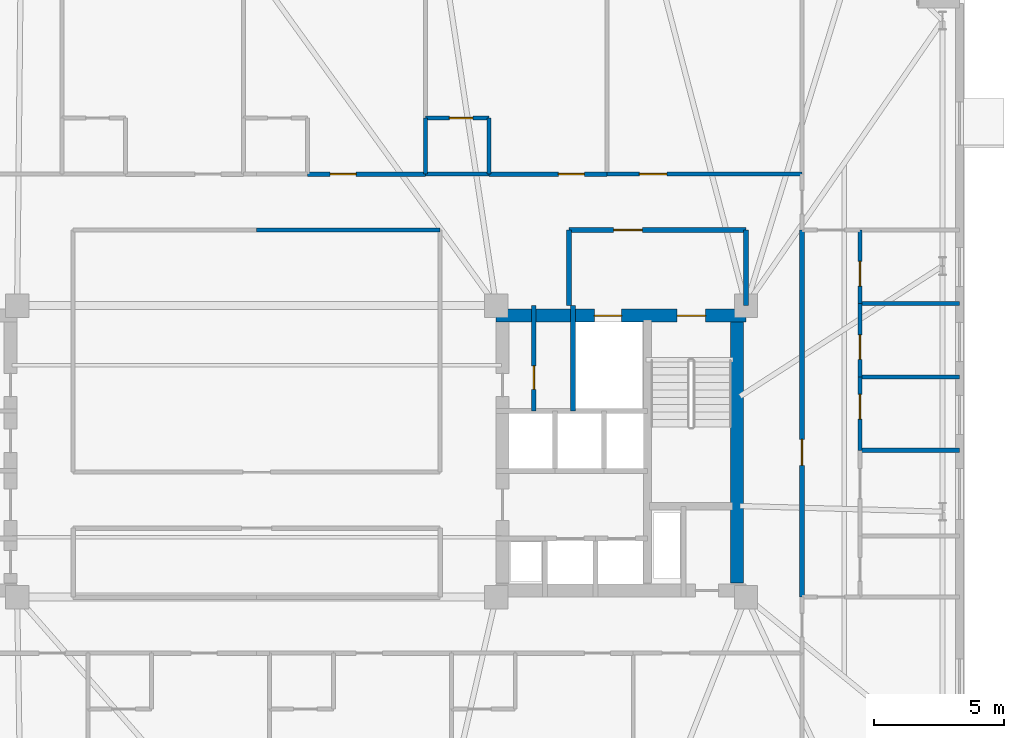
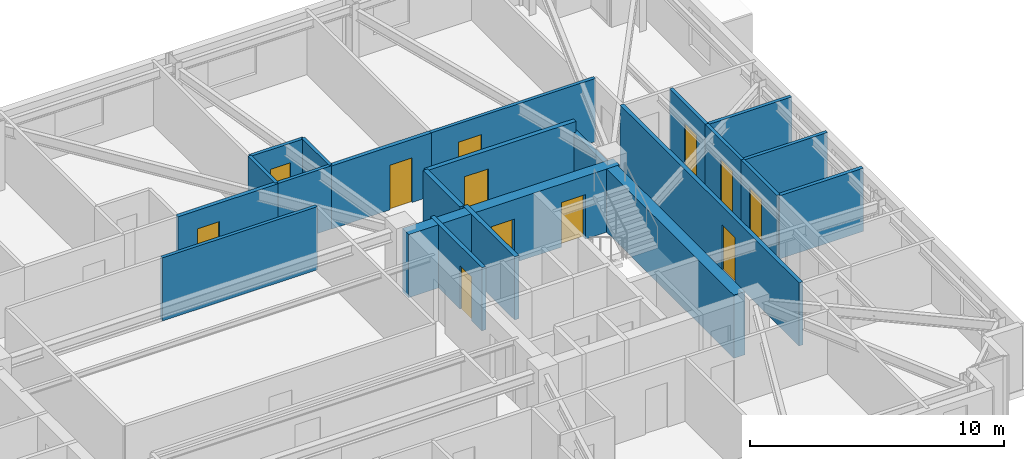
# One storey, part 14 of 17: 22 walls, 12 doors, 12 openings.
"""IFC4 building model written with IfcOpenShell, lengths in metres."""

import ifcopenshell
import ifcopenshell.guid

model = None  # the IFC model being written
_history = None  # IfcOwnerHistory: only IFC2X3 demands one
_inside = {}  # id of a spatial element -> (the spatial element, [elements in it])
_under = {}  # id of a project, library or spatial element -> (it, [spatial elements below it])
_declared = {}  # id of a project -> (the project, [libraries it declares])
_typed = {}  # id of a type object -> (the type object, [elements of that type])
_made_of = {}  # id of a material, layer set ... -> (it, [elements and type objects made of it])


def new_model(schema):
    """Start an empty IFC model of exactly this schema.

    Asked for "IFC4X3", IfcOpenShell would pick the latest addendum, in which some entities
    have other attributes; the version numbers below select the first issue.
    IFC2X3 requires an IfcOwnerHistory on every rooted entity: one is made here for all.
    """
    global model, _history
    if schema == "IFC4X3":
        model = ifcopenshell.file(schema_version=(4, 3, 0, 0))
    else:
        model = ifcopenshell.file(schema=schema)
    _inside.clear()
    _under.clear()
    _declared.clear()
    _typed.clear()
    _made_of.clear()
    _history = None
    if model.schema == "IFC2X3":
        org = make("IfcOrganization", Name="unknown")
        user = make(
            "IfcPersonAndOrganization",
            ThePerson=make("IfcPerson", FamilyName="unknown"),
            TheOrganization=org,
        )
        app = make(
            "IfcApplication",
            ApplicationDeveloper=org,
            Version="unknown",
            ApplicationFullName="unknown",
            ApplicationIdentifier="unknown",
        )
        _history = make(
            "IfcOwnerHistory",
            OwningUser=user,
            OwningApplication=app,
            ChangeAction="ADDED",
            CreationDate=0,
        )
    return model


def make(cls, **values):
    """One entity of the class cls with the attributes given. An attribute that is None is left unset."""
    return model.create_entity(
        cls, **{name: value for name, value in values.items() if value is not None}
    )


def rooted(cls, **values):
    """An entity with a GlobalId (a new one), such as an element, a storey or a relation."""
    return make(cls, GlobalId=ifcopenshell.guid.new(), OwnerHistory=_history, **values)


def si_unit(unit_type, name, prefix=None):
    """IfcSIUnit, for example si_unit("LENGTHUNIT", "METRE", prefix="MILLI")."""
    return make("IfcSIUnit", UnitType=unit_type, Prefix=prefix, Name=name)


def assignment(units):
    """IfcUnitAssignment: the units of a project."""
    return None if units is None else make("IfcUnitAssignment", Units=units)


def point(xyz):
    """IfcCartesianPoint."""
    return None if xyz is None else make("IfcCartesianPoint", Coordinates=xyz)


def direction(xyz):
    """IfcDirection."""
    return None if xyz is None else make("IfcDirection", DirectionRatios=xyz)


def frame(location, z_axis=None, x_axis=None):
    """IfcAxis2Placement3D, a coordinate frame: its origin and axes. An axis left out is left unset."""
    return make(
        "IfcAxis2Placement3D",
        Location=point(location),
        Axis=direction(z_axis),
        RefDirection=direction(x_axis),
    )


def frame_2d(location, x_axis=None):
    """IfcAxis2Placement2D, a coordinate frame in the plane: its origin and x axis."""
    return make(
        "IfcAxis2Placement2D", Location=point(location), RefDirection=direction(x_axis)
    )


def origin():
    """The frame at (0, 0, 0) with its axes left unset."""
    return frame((0.0, 0.0, 0.0))


def place(relative_to, where):
    """IfcLocalPlacement: puts the frame where relative to a parent placement (None: the world)."""
    return make(
        "IfcLocalPlacement", PlacementRelTo=relative_to, RelativePlacement=where
    )


def context(
    kind, dimensions, precision=None, world=None, true_north=None, identifier=None
):
    """IfcGeometricRepresentationContext, for example the 3D "Model" context."""
    return make(
        "IfcGeometricRepresentationContext",
        ContextIdentifier=identifier,
        ContextType=kind,
        CoordinateSpaceDimension=dimensions,
        Precision=precision,
        WorldCoordinateSystem=world,
        TrueNorth=true_north,
    )


def subcontext(parent, identifier, kind, view, scale=None):
    """IfcGeometricRepresentationSubContext, for example "Body" below "Model"."""
    return make(
        "IfcGeometricRepresentationSubContext",
        ContextIdentifier=identifier,
        ContextType=kind,
        ParentContext=parent,
        TargetScale=scale,
        TargetView=view,
    )


def project(units=None, contexts=None):
    """IfcProject with its units and contexts."""
    return rooted(
        "IfcProject",
        Name="project",
        RepresentationContexts=contexts,
        UnitsInContext=assignment(units),
    )


def spatial(cls, under=None, at=None, **own):
    """A site, building, storey or space (cls), placed at a placement, below another one or the project."""
    s = rooted(cls, ObjectPlacement=at, **own)
    if under is not None:
        _under.setdefault(under.id(), (under, []))[1].append(s)
    return s


def profile(cls, at=None, kind="AREA", **sizes):
    """A parametric profile (cls). Its sizes go by their IFC names, for example OverallWidth=200.0."""
    return make(cls, ProfileType=kind, Position=at, **sizes)


def rectangle(**sizes):
    """IfcRectangleProfileDef."""
    return profile("IfcRectangleProfileDef", **sizes)


def extrude(swept, where, along, depth):
    """IfcExtrudedAreaSolid: the profile swept, set in the frame where, extruded along a direction by depth."""
    return make(
        "IfcExtrudedAreaSolid",
        SweptArea=swept,
        Position=where,
        ExtrudedDirection=direction(along),
        Depth=depth,
    )


def shape(context_of_items, identifier, shape_type, items):
    """IfcShapeRepresentation: the items that make up one representation, for example the "Body"."""
    return make(
        "IfcShapeRepresentation",
        ContextOfItems=context_of_items,
        RepresentationIdentifier=identifier,
        RepresentationType=shape_type,
        Items=items,
    )


def material(Name=None, Category=None):
    """IfcMaterial."""
    return make("IfcMaterial", Name=Name, Category=Category)


def layer(
    of_material, thickness, ventilated=None, Name=None, Category=None, Priority=None
):
    """IfcMaterialLayer: one layer of a wall or slab, of a material (None: an air gap)."""
    return make(
        "IfcMaterialLayer",
        Material=of_material,
        LayerThickness=thickness,
        IsVentilated=ventilated,
        Name=Name,
        Category=Category,
        Priority=Priority,
    )


def layer_set(layers, Name=None):
    """IfcMaterialLayerSet."""
    return make("IfcMaterialLayerSet", MaterialLayers=layers, LayerSetName=Name)


def made_of(thing, what):
    """Note that an element or type object is made of a material, layer set ...; save() writes the relation."""
    if what is not None:
        _made_of.setdefault(what.id(), (what, []))[1].append(thing)
    return thing


def type_object(cls, material=None, **own):
    """A type object (cls), such as IfcWallType, which elements share."""
    return made_of(rooted(cls, **own), material)


def element(
    cls,
    number,
    at=None,
    inside=None,
    cuts=None,
    type_object=None,
    material=None,
    context=None,
    identifier="Body",
    shape_type=None,
    held_by="IfcProductDefinitionShape",
    body=None,
    shapes=None,
    **own,
):
    """One element of the class cls, such as IfcWall. Its Tag is "e" and its number.

    at: its placement. inside: the storey or other place that contains it. cuts: it is an
    opening in that element (IfcRelVoidsElement). A single representation is given by context,
    identifier, shape_type and body (its items); several are given by shapes. held_by: the class
    of the entity that holds the representations. save() writes the other relations.
    """
    e = rooted(cls, Tag="e%d" % number, ObjectPlacement=at, **own)
    if body is not None:
        shapes = [shape(context, identifier, shape_type, body)]
    if shapes is not None:
        e.Representation = make(held_by, Representations=shapes)
    if inside is not None:
        _inside.setdefault(inside.id(), (inside, []))[1].append(e)
    if cuts is not None:
        rooted(
            "IfcRelVoidsElement", RelatingBuildingElement=cuts, RelatedOpeningElement=e
        )
    if type_object is not None:
        _typed.setdefault(type_object.id(), (type_object, []))[1].append(e)
    return made_of(e, material)


def fill(opening, filler):
    """IfcRelFillsElement: the door or window that sits in an opening."""
    return rooted(
        "IfcRelFillsElement",
        RelatingOpeningElement=opening,
        RelatedBuildingElement=filler,
    )


def aggregate(whole, parts):
    """IfcRelAggregates: a whole, such as a stair, and the parts it consists of."""
    return rooted("IfcRelAggregates", RelatingObject=whole, RelatedObjects=parts)


def save(model, path):
    """Write the relations noted so far, then the file.

    IfcRelAggregates (storeys below a building ...), IfcRelContainedInSpatialStructure (elements
    in a storey), IfcRelDefinesByType, IfcRelAssociatesMaterial and IfcRelDeclares: one each for
    every whole, place, type object, material and project.
    """
    for whole, parts in _under.values():
        aggregate(whole, parts)
    for where, things in _inside.values():
        rooted(
            "IfcRelContainedInSpatialStructure",
            RelatedElements=things,
            RelatingStructure=where,
        )
    for kind, things in _typed.values():
        rooted("IfcRelDefinesByType", RelatedObjects=things, RelatingType=kind)
    for what, things in _made_of.values():
        rooted("IfcRelAssociatesMaterial", RelatedObjects=things, RelatingMaterial=what)
    for by, libraries in _declared.values():
        rooted("IfcRelDeclares", RelatingContext=by, RelatedDefinitions=libraries)
    model.write(path)


model = new_model("IFC4")

# Units and contexts
model_context = context("Model", 3, precision=1e-05, world=origin(), true_north=direction((0.0, 1.0)))
body_context = subcontext(model_context, "Body", "Model", "MODEL_VIEW")
ifc_project = project(units=[si_unit("LENGTHUNIT", "METRE"), si_unit("AREAUNIT", "SQUARE_METRE"), si_unit("VOLUMEUNIT", "CUBIC_METRE"), si_unit("PLANEANGLEUNIT", "RADIAN"), si_unit("MASSUNIT", "GRAM", prefix="KILO")], contexts=[model_context])

# Site, building, storey
site_placement = place(None, origin())
site = spatial("IfcSite", under=ifc_project, at=site_placement, CompositionType="ELEMENT")
building_placement = place(site_placement, origin())
building = spatial("IfcBuilding", under=site, at=building_placement, Name="Qobustan Lattice House", CompositionType="ELEMENT")
storey_placement = place(building_placement, frame((0.0, 0.0, 157.800048828125)))
storey = spatial("IfcBuildingStorey", under=building, at=storey_placement, Name="L44", CompositionType="ELEMENT", Elevation=157.800048828125)

# Wall, openings, doors
ifc_material_1 = material(Name="Concrete C50/60", Category="concrete")
ifc_layer_1 = layer(ifc_material_1, 0.5)
ifc_layer_set_1 = layer_set([ifc_layer_1], Name="Concrete C50/60")
wall_type_1 = type_object("IfcWallType", Name="WAL-CORE-500", PredefinedType="SHEAR", material=ifc_layer_set_1)
wall_1_placement = place(storey_placement, frame((9.199951171875, 5.2099609375, 0.0), z_axis=(0.0, 0.0, 1.0), x_axis=(1.0, 0.0, 0.0)))
wall_1 = element("IfcWall", 1, at=wall_1_placement, inside=storey, type_object=wall_type_1, Name="L44 split-core shear wall CE-N", PredefinedType="SHEAR", context=body_context, shape_type="SweptSolid", body=[
    extrude(rectangle(XDim=9.60009765625, YDim=0.5, at=frame_2d((4.800048828125, 0.0))), origin(), (0.0, 0.0, 1.0), 3.0400390625),
])
opening_1_placement = place(wall_1_placement, frame((6.949951171875, 0.0, 0.0)))
opening_1 = element("IfcOpeningElement", 2, at=opening_1_placement, cuts=wall_1, Name="Opening SD-01", PredefinedType="OPENING", context=body_context, shape_type="SweptSolid", body=[
    extrude(rectangle(XDim=1.10009765625, YDim=2.14990234375, at=frame_2d((0.550048828125, 1.074951171875))), frame((0.0, 0.260009765625, 0.0), z_axis=(0.0, -1.0, 0.0), x_axis=(1.0, 0.0, 0.0)), (0.0, 0.0, 1.0), 0.52001953125),
])
opening_2_placement = place(wall_1_placement, frame((3.77490234375, 0.0, 0.0)))
opening_2 = element("IfcOpeningElement", 3, at=opening_2_placement, cuts=wall_1, Name="Opening LD-01", PredefinedType="OPENING", context=body_context, shape_type="SweptSolid", body=[
    extrude(rectangle(XDim=1.050048828125, YDim=2.10009765625, at=frame_2d((0.52490234375, 1.050048828125))), frame((0.0, 0.260009765625, 0.0), z_axis=(0.0, -1.0, 0.0), x_axis=(1.0, 0.0, 0.0)), (0.0, 0.0, 1.0), 0.52001953125),
])
ifc_material_2 = material(Name="Persian walnut timber and steel frame door", Category="steel")
door_type_1 = type_object("IfcDoorType", Name="DOR-LIFT-LD-1050x2100", OperationType="NOTDEFINED", PredefinedType="DOOR", material=ifc_material_2)
door_1_placement = place(opening_2_placement, origin())
door_1 = element("IfcDoor", 4, at=door_1_placement, inside=storey, type_object=door_type_1, Name="L44 firefighting lift FF-E landing door", OperationType="DOUBLE_DOOR_SLIDING", OverallHeight=2.10009765625, OverallWidth=1.050048828125, PredefinedType="DOOR", context=body_context, shape_type="SweptSolid", body=[
    extrude(rectangle(XDim=1.050048828125, YDim=2.10009765625, at=frame_2d((0.52490234375, 1.050048828125))), frame((0.0, 0.02490234375, 0.0), z_axis=(0.0, -1.0, 0.0), x_axis=(1.0, 0.0, 0.0)), (0.0, 0.0, 1.0), 0.050048828125),
])
fill(opening_2, door_1)
ifc_material_3 = material(Name="Persian walnut timber and steel frame door", Category="steel")
door_type_2 = type_object("IfcDoorType", Name="DOR-STAIR-FD-1100x2150", OperationType="NOTDEFINED", PredefinedType="DOOR", material=ifc_material_3)
door_2_placement = place(opening_1_placement, origin())
door_2 = element("IfcDoor", 5, at=door_2_placement, inside=storey, type_object=door_type_2, Name="L44 exit stair ST-E1 fire door", OperationType="SINGLE_SWING_RIGHT", OverallHeight=2.14990234375, OverallWidth=1.10009765625, PredefinedType="DOOR", context=body_context, shape_type="SweptSolid", body=[
    extrude(rectangle(XDim=1.10009765625, YDim=2.14990234375, at=frame_2d((0.550048828125, 1.074951171875))), frame((0.0, 0.02490234375, 0.0), z_axis=(0.0, -1.0, 0.0), x_axis=(1.0, 0.0, 0.0)), (0.0, 0.0, 1.0), 0.050048828125),
])
fill(opening_1, door_2)

# Wall
wall_2_placement = place(storey_placement, frame((18.4599609375, -5.050048828125, 0.0), z_axis=(0.0, 0.0, 1.0), x_axis=(0.0, 1.0, 0.0)))
element("IfcWall", 6, at=wall_2_placement, inside=storey, type_object=wall_type_1, Name="L44 split-core shear wall CE-E", PredefinedType="SHEAR", context=body_context, shape_type="SweptSolid", body=[
    extrude(rectangle(XDim=10.10009765625, YDim=0.5, at=frame_2d((5.050048828125, 0.0))), origin(), (0.0, 0.0, 1.0), 3.0400390625),
])

# Wall, opening, door
ifc_material_4 = material(Name="Gypsum fireboard acoustic partition", Category="gypsum")
ifc_layer_2 = layer(ifc_material_4, 0.179931640625)
ifc_layer_set_2 = layer_set([ifc_layer_2], Name="Gypsum fireboard acoustic partition")
wall_type_2 = type_object("IfcWallType", Name="WAL-FIRE-180", PredefinedType="PARTITIONING", material=ifc_layer_set_2)
wall_3_placement = place(storey_placement, frame((10.64990234375, 1.550048828125, 0.0), z_axis=(0.0, 0.0, 1.0), x_axis=(0.0, 1.0, 0.0)))
wall_3 = element("IfcWall", 7, at=wall_3_placement, inside=storey, type_object=wall_type_2, Name="L44 interior partition 18", PredefinedType="PARTITIONING", context=body_context, shape_type="SweptSolid", body=[
    extrude(rectangle(XDim=4.050048828125, YDim=0.179931640625, at=frame_2d((2.02490234375, 0.0))), origin(), (0.0, 0.0, 1.0), 3.0400390625),
])
opening_3_placement = place(wall_3_placement, frame((0.828857421875, 0.0, 0.0)))
opening_3 = element("IfcOpeningElement", 8, at=opening_3_placement, cuts=wall_3, Name="Opening RD-01", PredefinedType="OPENING", context=body_context, shape_type="SweptSolid", body=[
    extrude(rectangle(XDim=0.89990234375, YDim=2.10009765625, at=frame_2d((0.449951171875, 1.050048828125))), frame((0.0, 0.099853515625, 0.0), z_axis=(0.0, -1.0, 0.0), x_axis=(1.0, 0.0, 0.0)), (0.0, 0.0, 1.0), 0.199951171875),
])
ifc_material_5 = material(Name="Persian walnut timber and steel frame door", Category="steel")
door_type_3 = type_object("IfcDoorType", Name="DOR-RISER-FD-900x2100", OperationType="NOTDEFINED", PredefinedType="DOOR", material=ifc_material_5)
door_3_placement = place(opening_3_placement, origin())
door_3 = element("IfcDoor", 9, at=door_3_placement, inside=storey, type_object=door_type_3, Name="L44 Print and mail closet to Core utility store door", OperationType="SINGLE_SWING_LEFT", OverallHeight=2.10009765625, OverallWidth=0.89990234375, PredefinedType="DOOR", context=body_context, shape_type="SweptSolid", body=[
    extrude(rectangle(XDim=0.89990234375, YDim=2.10009765625, at=frame_2d((0.449951171875, 1.050048828125))), frame((0.0, 0.02490234375, 0.0), z_axis=(0.0, -1.0, 0.0), x_axis=(1.0, 0.0, 0.0)), (0.0, 0.0, 1.0), 0.050048828125),
])
fill(opening_3, door_3)

wall_4_placement = place(storey_placement, frame((1.949951171875, 10.64990234375, 0.0), z_axis=(0.0, 0.0, 1.0), x_axis=(1.0, 0.0, 0.0)))
wall_4 = element("IfcWall", 10, at=wall_4_placement, inside=storey, type_object=wall_type_2, Name="L44 interior partition 40", PredefinedType="PARTITIONING", context=body_context, shape_type="SweptSolid", body=[
    extrude(rectangle(XDim=4.532958984375, YDim=0.179931640625, at=frame_2d((2.2666015625, 0.0))), origin(), (0.0, 0.0, 1.0), 3.0400390625),
])
opening_4_placement = place(wall_4_placement, frame((0.876708984375, 0.0, 0.0)))
opening_4 = element("IfcOpeningElement", 11, at=opening_4_placement, cuts=wall_4, Name="Opening FD-02", PredefinedType="OPENING", context=body_context, shape_type="SweptSolid", body=[
    extrude(rectangle(XDim=1.0, YDim=2.14990234375, at=frame_2d((0.5, 1.074951171875))), frame((0.0, 0.099853515625, 0.0), z_axis=(0.0, -1.0, 0.0), x_axis=(1.0, 0.0, 0.0)), (0.0, 0.0, 1.0), 0.199951171875),
])
ifc_material_6 = material(Name="Persian walnut timber and steel frame door", Category="steel")
door_type_4 = type_object("IfcDoorType", Name="DOR-UNIT-FD-1000x2150", OperationType="NOTDEFINED", PredefinedType="DOOR", material=ifc_material_6)
door_4_placement = place(opening_4_placement, origin())
door_4 = element("IfcDoor", 12, at=door_4_placement, inside=storey, type_object=door_type_4, Name="L44 North-east floor corridor to Kitchenette and studio apartment L44-N4 door", OperationType="SINGLE_SWING_RIGHT", OverallHeight=2.14990234375, OverallWidth=1.0, PredefinedType="DOOR", context=body_context, shape_type="SweptSolid", body=[
    extrude(rectangle(XDim=1.0, YDim=2.14990234375, at=frame_2d((0.5, 1.074951171875))), frame((0.0, 0.02490234375, 0.0), z_axis=(0.0, -1.0, 0.0), x_axis=(1.0, 0.0, 0.0)), (0.0, 0.0, 1.0), 0.050048828125),
])
fill(opening_4, door_4)

wall_5_placement = place(storey_placement, frame((8.93310546875, 10.64990234375, 0.0), z_axis=(0.0, 0.0, 1.0), x_axis=(1.0, 0.0, 0.0)))
wall_5 = element("IfcWall", 13, at=wall_5_placement, inside=storey, type_object=wall_type_2, Name="L44 interior partition 42", PredefinedType="PARTITIONING", context=body_context, shape_type="SweptSolid", body=[
    extrude(rectangle(XDim=4.533935546875, YDim=0.179931640625, at=frame_2d((2.26708984375, 0.0))), origin(), (0.0, 0.0, 1.0), 3.0400390625),
])
opening_5_placement = place(wall_5_placement, frame((2.6572265625, 0.0, 0.0)))
opening_5 = element("IfcOpeningElement", 14, at=opening_5_placement, cuts=wall_5, Name="Opening FD-02", PredefinedType="OPENING", context=body_context, shape_type="SweptSolid", body=[
    extrude(rectangle(XDim=1.0, YDim=2.14990234375, at=frame_2d((0.5, 1.074951171875))), frame((0.0, 0.099853515625, 0.0), z_axis=(0.0, -1.0, 0.0), x_axis=(1.0, 0.0, 0.0)), (0.0, 0.0, 1.0), 0.199951171875),
])
door_5_placement = place(opening_5_placement, origin())
door_5 = element("IfcDoor", 15, at=door_5_placement, inside=storey, type_object=door_type_4, Name="L44 North-east floor corridor to Kitchenette and studio apartment L44-N5 door", OperationType="SINGLE_SWING_LEFT", OverallHeight=2.14990234375, OverallWidth=1.0, PredefinedType="DOOR", context=body_context, shape_type="SweptSolid", body=[
    extrude(rectangle(XDim=1.0, YDim=2.14990234375, at=frame_2d((0.5, 1.074951171875))), frame((0.0, 0.02490234375, 0.0), z_axis=(0.0, -1.0, 0.0), x_axis=(1.0, 0.0, 0.0)), (0.0, 0.0, 1.0), 0.050048828125),
])
fill(opening_5, door_5)

wall_6_placement = place(storey_placement, frame((20.949951171875, 8.5, 0.0), z_axis=(0.0, 0.0, 1.0), x_axis=(0.0, -1.0, 0.0)))
wall_6 = element("IfcWall", 16, at=wall_6_placement, inside=storey, type_object=wall_type_2, Name="L44 interior partition 64", PredefinedType="PARTITIONING", context=body_context, shape_type="SweptSolid", body=[
    extrude(rectangle(XDim=14.10009765625, YDim=0.179931640625, at=frame_2d((7.050048828125, 0.0))), origin(), (0.0, 0.0, 1.0), 3.0400390625),
])
opening_6_placement = place(wall_6_placement, frame((8.04248046875, 0.0, 0.0)))
opening_6 = element("IfcOpeningElement", 17, at=opening_6_placement, cuts=wall_6, Name="Opening FD-02", PredefinedType="OPENING", context=body_context, shape_type="SweptSolid", body=[
    extrude(rectangle(XDim=1.0, YDim=2.14990234375, at=frame_2d((0.5, 1.074951171875))), frame((0.0, 0.099853515625, 0.0), z_axis=(0.0, -1.0, 0.0), x_axis=(1.0, 0.0, 0.0)), (0.0, 0.0, 1.0), 0.199951171875),
])
door_6_placement = place(opening_6_placement, origin())
door_6 = element("IfcDoor", 18, at=door_6_placement, inside=storey, type_object=door_type_4, Name="L44 East wing spine gallery to Residence entrance hall L44E door", OperationType="SINGLE_SWING_RIGHT", OverallHeight=2.14990234375, OverallWidth=1.0, PredefinedType="DOOR", context=body_context, shape_type="SweptSolid", body=[
    extrude(rectangle(XDim=1.0, YDim=2.14990234375, at=frame_2d((0.5, 1.074951171875))), frame((0.0, 0.02490234375, 0.0), z_axis=(0.0, -1.0, 0.0), x_axis=(1.0, 0.0, 0.0)), (0.0, 0.0, 1.0), 0.050048828125),
])
fill(opening_6, door_6)

ifc_material_7 = material(Name="Acoustic twin-stud gypsum partition", Category="gypsum")
ifc_layer_3 = layer(ifc_material_7, 0.14990234375)
ifc_layer_set_3 = layer_set([ifc_layer_3], Name="Acoustic twin-stud gypsum partition")
wall_type_3 = type_object("IfcWallType", Name="WAL-PART-150", PredefinedType="PARTITIONING", material=ifc_layer_set_3)
wall_7_placement = place(storey_placement, frame((13.467041015625, 10.64990234375, 0.0), z_axis=(0.0, 0.0, 1.0), x_axis=(1.0, 0.0, 0.0)))
wall_7 = element("IfcWall", 19, at=wall_7_placement, inside=storey, type_object=wall_type_3, Name="L44 interior partition 44", PredefinedType="PARTITIONING", context=body_context, shape_type="SweptSolid", body=[
    extrude(rectangle(XDim=7.48291015625, YDim=0.14990234375, at=frame_2d((3.741455078125, 0.0))), origin(), (0.0, 0.0, 1.0), 3.0400390625),
])
opening_7_placement = place(wall_7_placement, frame((1.239013671875, 0.0, 0.0)))
opening_7 = element("IfcOpeningElement", 20, at=opening_7_placement, cuts=wall_7, Name="Opening ID-02", PredefinedType="OPENING", context=body_context, shape_type="SweptSolid", body=[
    extrude(rectangle(XDim=1.050048828125, YDim=2.14990234375, at=frame_2d((0.52490234375, 1.074951171875))), frame((0.0, 0.0849609375, 0.0), z_axis=(0.0, -1.0, 0.0), x_axis=(1.0, 0.0, 0.0)), (0.0, 0.0, 1.0), 0.169921875),
])
ifc_material_8 = material(Name="Persian walnut timber and steel frame door", Category="steel")
door_type_5 = type_object("IfcDoorType", Name="DOR-STUDY-1050x2150", OperationType="NOTDEFINED", PredefinedType="DOOR", material=ifc_material_8)
door_7_placement = place(opening_7_placement, origin())
door_7 = element("IfcDoor", 21, at=door_7_placement, inside=storey, type_object=door_type_5, Name="L44 North-east floor corridor to Focus study room N6 door", OperationType="SINGLE_SWING_RIGHT", OverallHeight=2.14990234375, OverallWidth=1.050048828125, PredefinedType="DOOR", context=body_context, shape_type="SweptSolid", body=[
    extrude(rectangle(XDim=1.050048828125, YDim=2.14990234375, at=frame_2d((0.52490234375, 1.074951171875))), frame((0.0, 0.02490234375, 0.0), z_axis=(0.0, -1.0, 0.0), x_axis=(1.0, 0.0, 0.0)), (0.0, 0.0, 1.0), 0.050048828125),
])
fill(opening_7, door_7)

# Wall
wall_8_placement = place(storey_placement, frame((7.050048828125, 8.5, 0.0), z_axis=(0.0, 0.0, 1.0), x_axis=(-1.0, 0.0, 0.0)))
element("IfcWall", 22, at=wall_8_placement, inside=storey, type_object=wall_type_3, Name="L44 interior partition 45", PredefinedType="PARTITIONING", context=body_context, shape_type="SweptSolid", body=[
    extrude(rectangle(XDim=7.050048828125, YDim=0.14990234375, at=frame_2d((3.52490234375, 0.0))), origin(), (0.0, 0.0, 1.0), 3.0400390625),
])

# Wall, opening, door
wall_9_placement = place(storey_placement, frame((23.179931640625, 2.860107421875, 0.0), z_axis=(0.0, 0.0, 1.0), x_axis=(0.0, -1.0, 0.0)))
wall_9 = element("IfcWall", 23, at=wall_9_placement, inside=storey, type_object=wall_type_3, Name="L44 interior partition 86", PredefinedType="PARTITIONING", context=body_context, shape_type="SweptSolid", body=[
    extrude(rectangle(XDim=2.820068359375, YDim=0.14990234375, at=frame_2d((1.41015625, 0.0))), origin(), (0.0, 0.0, 1.0), 3.0400390625),
])
opening_8_placement = place(wall_9_placement, frame((0.668701171875, 0.0, 0.0)))
opening_8 = element("IfcOpeningElement", 24, at=opening_8_placement, cuts=wall_9, Name="Opening ID-01", PredefinedType="OPENING", context=body_context, shape_type="SweptSolid", body=[
    extrude(rectangle(XDim=0.949951171875, YDim=2.10009765625, at=frame_2d((0.47509765625, 1.050048828125))), frame((0.0, 0.0849609375, 0.0), z_axis=(0.0, -1.0, 0.0), x_axis=(1.0, 0.0, 0.0)), (0.0, 0.0, 1.0), 0.169921875),
])
ifc_material_9 = material(Name="Persian walnut timber and steel frame door", Category="steel")
door_type_6 = type_object("IfcDoorType", Name="DOR-ROOM-950x2100", OperationType="NOTDEFINED", PredefinedType="DOOR", material=ifc_material_9)
door_8_placement = place(opening_8_placement, origin())
door_8 = element("IfcDoor", 25, at=door_8_placement, inside=storey, type_object=door_type_6, Name="L44 Residence entrance hall L44E to Cluster bedroom L44E1 door", OperationType="SINGLE_SWING_RIGHT", OverallHeight=2.10009765625, OverallWidth=0.949951171875, PredefinedType="DOOR", context=body_context, shape_type="SweptSolid", body=[
    extrude(rectangle(XDim=0.949951171875, YDim=2.10009765625, at=frame_2d((0.47509765625, 1.050048828125))), frame((0.0, 0.02490234375, 0.0), z_axis=(0.0, -1.0, 0.0), x_axis=(1.0, 0.0, 0.0)), (0.0, 0.0, 1.0), 0.050048828125),
])
fill(opening_8, door_8)

wall_10_placement = place(storey_placement, frame((23.179931640625, 5.679931640625, 0.0), z_axis=(0.0, 0.0, 1.0), x_axis=(0.0, -1.0, 0.0)))
wall_10 = element("IfcWall", 26, at=wall_10_placement, inside=storey, type_object=wall_type_3, Name="L44 interior partition 87", PredefinedType="PARTITIONING", context=body_context, shape_type="SweptSolid", body=[
    extrude(rectangle(XDim=2.81982421875, YDim=0.14990234375, at=frame_2d((1.409912109375, 0.0))), origin(), (0.0, 0.0, 1.0), 3.0400390625),
])
opening_9_placement = place(wall_10_placement, frame((1.201171875, 0.0, 0.0)))
opening_9 = element("IfcOpeningElement", 27, at=opening_9_placement, cuts=wall_10, Name="Opening ID-01", PredefinedType="OPENING", context=body_context, shape_type="SweptSolid", body=[
    extrude(rectangle(XDim=0.949951171875, YDim=2.10009765625, at=frame_2d((0.47509765625, 1.050048828125))), frame((0.0, 0.0849609375, 0.0), z_axis=(0.0, -1.0, 0.0), x_axis=(1.0, 0.0, 0.0)), (0.0, 0.0, 1.0), 0.169921875),
])
door_9_placement = place(opening_9_placement, origin())
door_9 = element("IfcDoor", 28, at=door_9_placement, inside=storey, type_object=door_type_6, Name="L44 Residence entrance hall L44E to Cluster bedroom L44E2 door", OperationType="SINGLE_SWING_LEFT", OverallHeight=2.10009765625, OverallWidth=0.949951171875, PredefinedType="DOOR", context=body_context, shape_type="SweptSolid", body=[
    extrude(rectangle(XDim=0.949951171875, YDim=2.10009765625, at=frame_2d((0.47509765625, 1.050048828125))), frame((0.0, 0.02490234375, 0.0), z_axis=(0.0, -1.0, 0.0), x_axis=(1.0, 0.0, 0.0)), (0.0, 0.0, 1.0), 0.050048828125),
])
fill(opening_9, door_9)

wall_11_placement = place(storey_placement, frame((23.179931640625, 8.5, 0.0), z_axis=(0.0, 0.0, 1.0), x_axis=(0.0, -1.0, 0.0)))
wall_11 = element("IfcWall", 29, at=wall_11_placement, inside=storey, type_object=wall_type_3, Name="L44 interior partition 88", PredefinedType="PARTITIONING", context=body_context, shape_type="SweptSolid", body=[
    extrude(rectangle(XDim=2.820068359375, YDim=0.14990234375, at=frame_2d((1.41015625, 0.0))), origin(), (0.0, 0.0, 1.0), 3.0400390625),
])
opening_10_placement = place(wall_11_placement, frame((1.201171875, 0.0, 0.0)))
opening_10 = element("IfcOpeningElement", 30, at=opening_10_placement, cuts=wall_11, Name="Opening ID-01", PredefinedType="OPENING", context=body_context, shape_type="SweptSolid", body=[
    extrude(rectangle(XDim=0.949951171875, YDim=2.10009765625, at=frame_2d((0.47509765625, 1.050048828125))), frame((0.0, 0.0849609375, 0.0), z_axis=(0.0, -1.0, 0.0), x_axis=(1.0, 0.0, 0.0)), (0.0, 0.0, 1.0), 0.169921875),
])
door_10_placement = place(opening_10_placement, origin())
door_10 = element("IfcDoor", 31, at=door_10_placement, inside=storey, type_object=door_type_6, Name="L44 Residence entrance hall L44E to Cluster bedroom L44E3 door", OperationType="SINGLE_SWING_RIGHT", OverallHeight=2.10009765625, OverallWidth=0.949951171875, PredefinedType="DOOR", context=body_context, shape_type="SweptSolid", body=[
    extrude(rectangle(XDim=0.949951171875, YDim=2.10009765625, at=frame_2d((0.47509765625, 1.050048828125))), frame((0.0, 0.02490234375, 0.0), z_axis=(0.0, -1.0, 0.0), x_axis=(1.0, 0.0, 0.0)), (0.0, 0.0, 1.0), 0.050048828125),
])
fill(opening_10, door_10)

# Walls
for number, where, z_axis, x_axis, name in (
    (32, (23.179931640625, 2.860107421875, 0.0), (0.0, 0.0, 1.0), (1.0, 0.0, 0.0), "L44 interior partition 95"),
    (33, (23.179931640625, 5.679931640625, 0.0), (0.0, 0.0, 1.0), (1.0, 0.0, 0.0), "L44 interior partition 96"),
):
    element("IfcWall", number, at=place(storey_placement, frame(where, z_axis=z_axis, x_axis=x_axis)), inside=storey, type_object=wall_type_3, Name=name, PredefinedType="PARTITIONING", context=body_context, shape_type="SweptSolid", body=[
        extrude(rectangle(XDim=3.820068359375, YDim=0.14990234375, at=frame_2d((1.91015625, 0.0))), origin(), (0.0, 0.0, 1.0), 3.0400390625),
    ])
ifc_material_10 = material(Name="High-mass acoustic twin-stud partition", Category="gypsum")
ifc_layer_4 = layer(ifc_material_10, 0.1650390625)
ifc_layer_set_4 = layer_set([ifc_layer_4], Name="High-mass acoustic twin-stud partition")
wall_type_4 = type_object("IfcWallType", Name="WAL-PART-165", PredefinedType="PARTITIONING", material=ifc_layer_set_4)
wall_12_placement = place(storey_placement, frame((23.179931640625, 0.0400390625, 0.0), z_axis=(0.0, 0.0, 1.0), x_axis=(1.0, 0.0, 0.0)))
element("IfcWall", 34, at=wall_12_placement, inside=storey, type_object=wall_type_4, Name="L44 interior partition 94", PredefinedType="PARTITIONING", context=body_context, shape_type="SweptSolid", body=[
    extrude(rectangle(XDim=3.820068359375, YDim=0.1650390625, at=frame_2d((1.91015625, 0.0))), origin(), (0.0, 0.0, 1.0), 3.0400390625),
])

# Wall, opening, door
ifc_material_11 = material(Name="Two-hour gypsum fireboard acoustic partition", Category="gypsum")
ifc_layer_5 = layer(ifc_material_11, 0.199951171875)
ifc_layer_set_5 = layer_set([ifc_layer_5], Name="Two-hour gypsum fireboard acoustic partition")
wall_type_5 = type_object("IfcWallType", Name="WAL-PROT-200", PredefinedType="PARTITIONING", material=ifc_layer_set_5)
wall_13_placement = place(storey_placement, frame((18.800048828125, 8.5, 0.0), z_axis=(0.0, 0.0, 1.0), x_axis=(-1.0, 0.0, 0.0)))
wall_13 = element("IfcWall", 35, at=wall_13_placement, inside=storey, type_object=wall_type_5, Name="L44 interior partition 15", PredefinedType="PARTITIONING", context=body_context, shape_type="SweptSolid", body=[
    extrude(rectangle(XDim=6.800048828125, YDim=0.199951171875, at=frame_2d((3.39990234375, 0.0))), origin(), (0.0, 0.0, 1.0), 3.0400390625),
])
opening_11_placement = place(wall_13_placement, frame((3.985107421875, 0.0, 0.0)))
opening_11 = element("IfcOpeningElement", 36, at=opening_11_placement, cuts=wall_13, Name="Opening SD-01", PredefinedType="OPENING", context=body_context, shape_type="SweptSolid", body=[
    extrude(rectangle(XDim=1.10009765625, YDim=2.14990234375, at=frame_2d((0.550048828125, 1.074951171875))), frame((0.0, 0.10986328125, 0.0), z_axis=(0.0, -1.0, 0.0), x_axis=(1.0, 0.0, 0.0)), (0.0, 0.0, 1.0), 0.219970703125),
])
door_11_placement = place(opening_11_placement, origin())
door_11 = element("IfcDoor", 37, at=door_11_placement, inside=storey, type_object=door_type_2, Name="L44 East firefighting lift lobby to North-east floor corridor door", OperationType="SINGLE_SWING_RIGHT", OverallHeight=2.14990234375, OverallWidth=1.10009765625, PredefinedType="DOOR", context=body_context, shape_type="SweptSolid", body=[
    extrude(rectangle(XDim=1.10009765625, YDim=2.14990234375, at=frame_2d((0.550048828125, 1.074951171875))), frame((0.0, 0.02490234375, 0.0), z_axis=(0.0, -1.0, 0.0), x_axis=(1.0, 0.0, 0.0)), (0.0, 0.0, 1.0), 0.050048828125),
])
fill(opening_11, door_11)

# Walls
wall_14_placement = place(storey_placement, frame((18.800048828125, 5.60009765625, 0.0), z_axis=(0.0, 0.0, 1.0), x_axis=(0.0, 1.0, 0.0)))
element("IfcWall", 38, at=wall_14_placement, inside=storey, type_object=wall_type_5, Name="L44 interior partition 16", PredefinedType="PARTITIONING", context=body_context, shape_type="SweptSolid", body=[
    extrude(rectangle(XDim=2.89990234375, YDim=0.199951171875, at=frame_2d((1.449951171875, 0.0))), origin(), (0.0, 0.0, 1.0), 2.52490234375),
])
wall_15_placement = place(storey_placement, frame((12.0, 8.5, 0.0), z_axis=(0.0, 0.0, 1.0), x_axis=(0.0, -1.0, 0.0)))
element("IfcWall", 39, at=wall_15_placement, inside=storey, type_object=wall_type_5, Name="L44 interior partition 17", PredefinedType="PARTITIONING", context=body_context, shape_type="SweptSolid", body=[
    extrude(rectangle(XDim=2.89990234375, YDim=0.199951171875, at=frame_2d((1.449951171875, 0.0))), origin(), (0.0, 0.0, 1.0), 3.0400390625),
])
ifc_material_12 = material(Name="Concrete C40/50", Category="concrete")
ifc_layer_6 = layer(ifc_material_12, 0.199951171875)
ifc_layer_set_6 = layer_set([ifc_layer_6], Name="Concrete C40/50")
wall_type_6 = type_object("IfcWallType", Name="WAL-SHAFT-200", PredefinedType="PARTITIONING", material=ifc_layer_set_6)
wall_16_placement = place(storey_placement, frame((12.14990234375, 5.60009765625, 0.0), z_axis=(0.0, 0.0, 1.0), x_axis=(0.0, -1.0, 0.0)))
element("IfcWall", 40, at=wall_16_placement, inside=storey, type_object=wall_type_6, Name="L44 interior partition 14", PredefinedType="PARTITIONING", context=body_context, shape_type="SweptSolid", body=[
    extrude(rectangle(XDim=4.050048828125, YDim=0.199951171875, at=frame_2d((2.02490234375, 0.0))), origin(), (0.0, 0.0, 1.0), 3.0400390625),
])
ifc_material_13 = material(Name="Moisture-resistant acoustic plumbing wall", Category="gypsum")
ifc_layer_7 = layer(ifc_material_13, 0.14990234375)
ifc_layer_set_7 = layer_set([ifc_layer_7], Name="Moisture-resistant acoustic plumbing wall")
wall_type_7 = type_object("IfcWallType", Name="WAL-WET-150", PredefinedType="PLUMBINGWALL", material=ifc_layer_set_7)
wall_17_placement = place(storey_placement, frame((6.48291015625, 10.64990234375, 0.0), z_axis=(0.0, 0.0, 1.0), x_axis=(1.0, 0.0, 0.0)))
element("IfcWall", 41, at=wall_17_placement, inside=storey, type_object=wall_type_7, Name="L44 interior partition 43", PredefinedType="PLUMBINGWALL", context=body_context, shape_type="SweptSolid", body=[
    extrude(rectangle(XDim=2.4501953125, YDim=0.14990234375, at=frame_2d((1.22509765625, 0.0))), origin(), (0.0, 0.0, 1.0), 3.0400390625),
])
wall_18_placement = place(storey_placement, frame((6.48291015625, 12.800048828125, 0.0), z_axis=(0.0, 0.0, 1.0), x_axis=(0.0, -1.0, 0.0)))
element("IfcWall", 42, at=wall_18_placement, inside=storey, type_object=wall_type_7, Name="L44 interior partition 108", PredefinedType="PLUMBINGWALL", context=body_context, shape_type="SweptSolid", body=[
    extrude(rectangle(XDim=2.150146484375, YDim=0.14990234375, at=frame_2d((1.0751953125, 0.0))), origin(), (0.0, 0.0, 1.0), 3.0400390625),
])

# Wall, opening, door
wall_19_placement = place(storey_placement, frame((8.93310546875, 12.800048828125, 0.0), z_axis=(0.0, 0.0, 1.0), x_axis=(-1.0, 0.0, 0.0)))
wall_19 = element("IfcWall", 43, at=wall_19_placement, inside=storey, type_object=wall_type_7, Name="L44 interior partition 109", PredefinedType="PLUMBINGWALL", context=body_context, shape_type="SweptSolid", body=[
    extrude(rectangle(XDim=2.4501953125, YDim=0.14990234375, at=frame_2d((1.22509765625, 0.0))), origin(), (0.0, 0.0, 1.0), 3.0400390625),
])
opening_12_placement = place(wall_19_placement, frame((0.62890625, 0.0, 0.0)))
opening_12 = element("IfcOpeningElement", 44, at=opening_12_placement, cuts=wall_19, Name="Opening WD-01", PredefinedType="OPENING", context=body_context, shape_type="SweptSolid", body=[
    extrude(rectangle(XDim=0.89990234375, YDim=2.10009765625, at=frame_2d((0.449951171875, 1.050048828125))), frame((0.0, 0.0849609375, 0.0), z_axis=(0.0, -1.0, 0.0), x_axis=(1.0, 0.0, 0.0)), (0.0, 0.0, 1.0), 0.169921875),
])
ifc_material_14 = material(Name="Persian walnut timber and steel frame door", Category="steel")
door_type_7 = type_object("IfcDoorType", Name="DOR-WET-900x2100", OperationType="NOTDEFINED", PredefinedType="DOOR", material=ifc_material_14)
door_12_placement = place(opening_12_placement, origin())
door_12 = element("IfcDoor", 45, at=door_12_placement, inside=storey, type_object=door_type_7, Name="L44 Kitchenette and studio apartment L44-N5 to En-suite bathroom L44-N5 door", OperationType="SINGLE_SWING_LEFT", OverallHeight=2.10009765625, OverallWidth=0.89990234375, PredefinedType="DOOR", context=body_context, shape_type="SweptSolid", body=[
    extrude(rectangle(XDim=0.89990234375, YDim=2.10009765625, at=frame_2d((0.449951171875, 1.050048828125))), frame((0.0, 0.02490234375, 0.0), z_axis=(0.0, -1.0, 0.0), x_axis=(1.0, 0.0, 0.0)), (0.0, 0.0, 1.0), 0.050048828125),
])
fill(opening_12, door_12)

# Wall
wall_20_placement = place(storey_placement, frame((8.93310546875, 10.64990234375, 0.0), z_axis=(0.0, 0.0, 1.0), x_axis=(0.0, 1.0, 0.0)))
element("IfcWall", 46, at=wall_20_placement, inside=storey, type_object=wall_type_7, Name="L44 interior partition 110", PredefinedType="PLUMBINGWALL", context=body_context, shape_type="SweptSolid", body=[
    extrude(rectangle(XDim=2.150146484375, YDim=0.14990234375, at=frame_2d((1.0751953125, 0.0))), origin(), (0.0, 0.0, 1.0), 3.0400390625),
])

save(model, "model.ifc")
